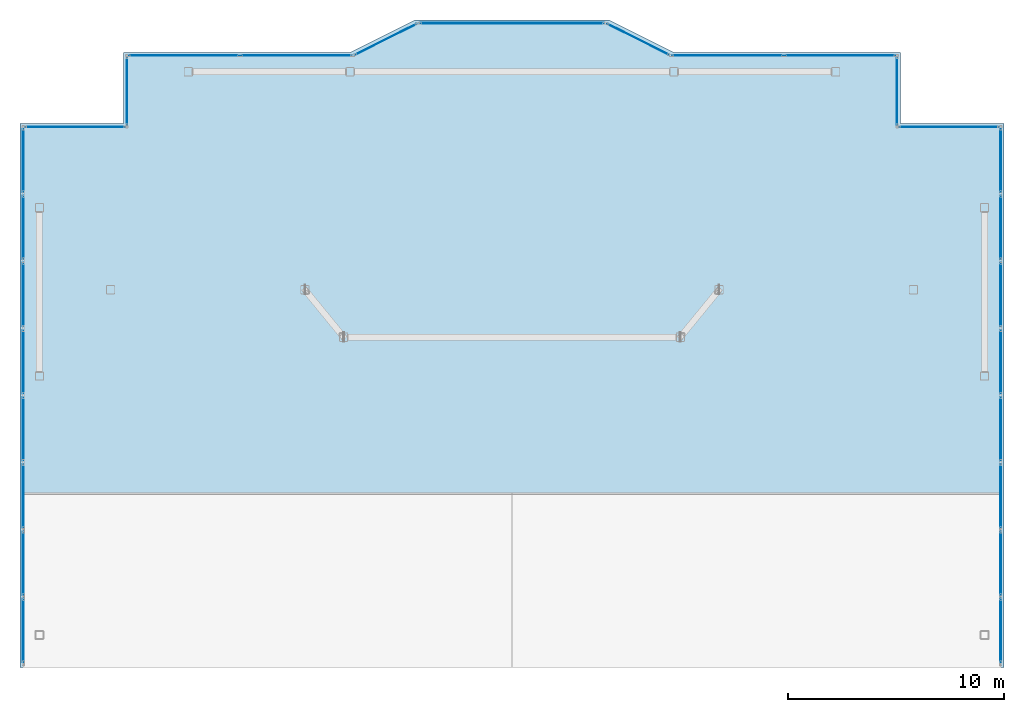
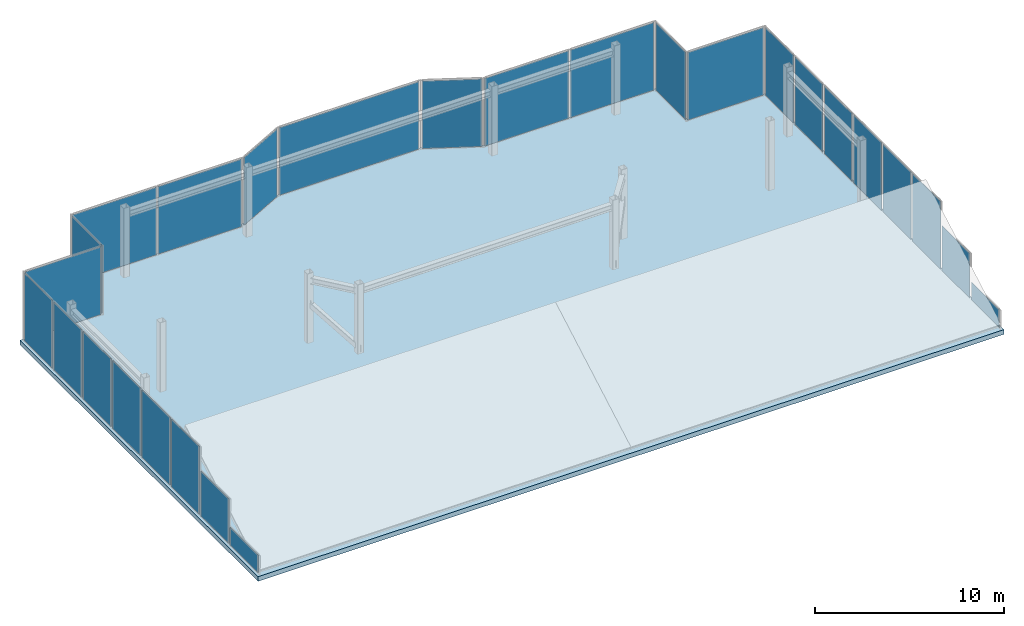
# One storey, part 9 of 12: 27 plates, 1 slab, 25 elements without a shape of their own.
"""IFC4 building model written with IfcOpenShell, lengths in metres."""

from ifc_helpers import new_model, si_unit, direction, frame, origin, origin_2d, place, context, subcontext, project, spatial, polyline, rectangle, outline, extrude, material, layer, layer_set, type_object, element, aggregate, save


model = new_model("IFC4")

# Units and contexts
model_context = context("Model", 3, precision=1e-05, world=origin(), true_north=direction((0.0, 1.0)))
body_context = subcontext(model_context, "Body", "Model", "MODEL_VIEW")
ifc_project = project(units=[si_unit("LENGTHUNIT", "METRE"), si_unit("AREAUNIT", "SQUARE_METRE"), si_unit("VOLUMEUNIT", "CUBIC_METRE"), si_unit("PLANEANGLEUNIT", "RADIAN"), si_unit("MASSUNIT", "GRAM", prefix="KILO")], contexts=[model_context])

# Site, building, storey
site_placement = place(None, origin())
site = spatial("IfcSite", under=ifc_project, at=site_placement, CompositionType="ELEMENT")
building_placement = place(site_placement, origin())
building = spatial("IfcBuilding", under=site, at=building_placement, Name="Tarnavaz Court Tower", CompositionType="ELEMENT")
storey_placement = place(building_placement, frame((0.0, 0.0, 299.550048828125)))
storey = spatial("IfcBuildingStorey", under=building, at=storey_placement, Name="C05", CompositionType="ELEMENT", Elevation=299.550048828125)

# Curtain wall, plate
ifc_material_1 = material(Name="Anodised Aluminium 6063-T6 and Solar Low-E Glazing", Category="aluminium")
ifc_layer_1 = layer(ifc_material_1, 0.2099609375)
ifc_layer_set_1 = layer_set([ifc_layer_1], Name="Anodised Aluminium 6063-T6 and Solar Low-E Glazing")
curtain_wall_type = type_object("IfcCurtainWallType", Name="CW-SYS-06", PredefinedType="NOTDEFINED", material=ifc_layer_set_1)
curtain_wall_1_placement = place(storey_placement, origin())
curtain_wall_1 = element("IfcCurtainWall", 1, at=curtain_wall_1_placement, inside=storey, type_object=curtain_wall_type, Name="C05 Slanted Crown Terracotta Curtain Wall 1", PredefinedType="NOTDEFINED")
ifc_material_2 = material(Name="Double-Glazed Solar Low-E Glass", Category="glass")
ifc_layer_2 = layer(ifc_material_2, 0.028076171875)
ifc_layer_set_2 = layer_set([ifc_layer_2], Name="Double-Glazed Solar Low-E Glass")
plate_type = type_object("IfcPlateType", Name="CW-PAN-GLZ28", PredefinedType="CURTAIN_PANEL", material=ifc_layer_set_2)
plate_1_placement = place(storey_placement, frame((-20.25, 17.550048828125, 0.06494140625), z_axis=(0.0, 0.0, 1.0), x_axis=(1.0, 0.0, 0.0)))
plate_1 = element("IfcPlate", 2, at=plate_1_placement, type_object=plate_type, Name="CW panel 1.1", PredefinedType="CURTAIN_PANEL", context=body_context, shape_type="SweptSolid", body=[
    extrude(rectangle(XDim=4.6298828125, YDim=0.028076171875, at=origin_2d()), origin(), (0.0, 0.0, 1.0), 4.3701171875),
])
aggregate(curtain_wall_1, [plate_1])

curtain_wall_2_placement = place(storey_placement, origin())
curtain_wall_2 = element("IfcCurtainWall", 3, at=curtain_wall_2_placement, inside=storey, type_object=curtain_wall_type, Name="C05 Slanted Crown Terracotta Curtain Wall 2", PredefinedType="NOTDEFINED")
plate_2_placement = place(storey_placement, frame((-17.85009765625, 19.199951171875, 0.06494140625), z_axis=(0.0, 0.0, 1.0), x_axis=(0.0, 1.0, 0.0)))
plate_2 = element("IfcPlate", 4, at=plate_2_placement, type_object=plate_type, Name="CW panel 1.1", PredefinedType="CURTAIN_PANEL", context=body_context, shape_type="SweptSolid", body=[
    extrude(rectangle(XDim=3.1298828125, YDim=0.028076171875, at=origin_2d()), origin(), (0.0, 0.0, 1.0), 4.3701171875),
])
aggregate(curtain_wall_2, [plate_2])

# Curtain wall, plates
curtain_wall_3_placement = place(storey_placement, origin())
curtain_wall_3 = element("IfcCurtainWall", 5, at=curtain_wall_3_placement, inside=storey, type_object=curtain_wall_type, Name="C05 Slanted Crown Terracotta Curtain Wall 3", PredefinedType="NOTDEFINED")
plate_3_placement = place(storey_placement, frame((-15.203857421875, 20.85009765625, 0.06494140625), z_axis=(0.0, 0.0, 1.0), x_axis=(1.0, 0.0, 0.0)))
plate_3 = element("IfcPlate", 6, at=plate_3_placement, type_object=plate_type, Name="CW panel 1.1", PredefinedType="CURTAIN_PANEL", context=body_context, shape_type="SweptSolid", body=[
    extrude(rectangle(XDim=5.12255859375, YDim=0.028076171875, at=origin_2d()), origin(), (0.0, 0.0, 1.0), 4.3701171875),
])
plate_4_placement = place(storey_placement, frame((-9.996337890625, 20.85009765625, 0.06494140625), z_axis=(0.0, 0.0, 1.0), x_axis=(1.0, 0.0, 0.0)))
plate_4 = element("IfcPlate", 7, at=plate_4_placement, type_object=plate_type, Name="CW panel 2.1", PredefinedType="CURTAIN_PANEL", context=body_context, shape_type="SweptSolid", body=[
    extrude(rectangle(XDim=5.12255859375, YDim=0.028076171875, at=origin_2d()), origin(), (0.0, 0.0, 1.0), 4.3701171875),
])
aggregate(curtain_wall_3, [plate_3, plate_4])

# Curtain wall, plate
curtain_wall_4_placement = place(storey_placement, origin())
curtain_wall_4 = element("IfcCurtainWall", 8, at=curtain_wall_4_placement, inside=storey, type_object=curtain_wall_type, Name="C05 Slanted Crown Terracotta Curtain Wall 4", PredefinedType="NOTDEFINED")
plate_5_placement = place(storey_placement, frame((-5.85009765625, 21.60009765625, 0.06494140625), z_axis=(0.0, 0.0, 1.0), x_axis=(0.894427191001, 0.447213595499, 0.0)))
plate_5 = element("IfcPlate", 9, at=plate_5_placement, type_object=plate_type, Name="CW panel 1.1", PredefinedType="CURTAIN_PANEL", context=body_context, shape_type="SweptSolid", body=[
    extrude(rectangle(XDim=3.18408203125, YDim=0.028076171875, at=origin_2d()), origin(), (0.0, 0.0, 1.0), 4.3701171875),
])
aggregate(curtain_wall_4, [plate_5])

curtain_wall_5_placement = place(storey_placement, origin())
curtain_wall_5 = element("IfcCurtainWall", 10, at=curtain_wall_5_placement, inside=storey, type_object=curtain_wall_type, Name="C05 Slanted Crown Terracotta Curtain Wall 5", PredefinedType="NOTDEFINED")
plate_6_placement = place(storey_placement, frame((0.0, 22.35009765625, 0.06494140625), z_axis=(0.0, 0.0, 1.0), x_axis=(1.0, 0.0, 0.0)))
plate_6 = element("IfcPlate", 11, at=plate_6_placement, type_object=plate_type, Name="CW panel 1.1", PredefinedType="CURTAIN_PANEL", context=body_context, shape_type="SweptSolid", body=[
    extrude(rectangle(XDim=8.530029296875, YDim=0.028076171875, at=origin_2d()), origin(), (0.0, 0.0, 1.0), 4.3701171875),
])
aggregate(curtain_wall_5, [plate_6])

curtain_wall_6_placement = place(storey_placement, origin())
curtain_wall_6 = element("IfcCurtainWall", 12, at=curtain_wall_6_placement, inside=storey, type_object=curtain_wall_type, Name="C05 Slanted Crown Terracotta Curtain Wall 6", PredefinedType="NOTDEFINED")
plate_7_placement = place(storey_placement, frame((5.85009765625, 21.60009765625, 0.06494140625), z_axis=(0.0, 0.0, 1.0), x_axis=(0.894427191001, -0.447213595499, 0.0)))
plate_7 = element("IfcPlate", 13, at=plate_7_placement, type_object=plate_type, Name="CW panel 1.1", PredefinedType="CURTAIN_PANEL", context=body_context, shape_type="SweptSolid", body=[
    extrude(rectangle(XDim=3.18408203125, YDim=0.028076171875, at=origin_2d()), origin(), (0.0, 0.0, 1.0), 4.3701171875),
])
aggregate(curtain_wall_6, [plate_7])

# Curtain wall, plates
curtain_wall_7_placement = place(storey_placement, origin())
curtain_wall_7 = element("IfcCurtainWall", 14, at=curtain_wall_7_placement, inside=storey, type_object=curtain_wall_type, Name="C05 Slanted Crown Terracotta Curtain Wall 7", PredefinedType="NOTDEFINED")
plate_8_placement = place(storey_placement, frame((9.996337890625, 20.85009765625, 0.06494140625), z_axis=(0.0, 0.0, 1.0), x_axis=(1.0, 0.0, 0.0)))
plate_8 = element("IfcPlate", 15, at=plate_8_placement, type_object=plate_type, Name="CW panel 1.1", PredefinedType="CURTAIN_PANEL", context=body_context, shape_type="SweptSolid", body=[
    extrude(rectangle(XDim=5.12255859375, YDim=0.028076171875, at=origin_2d()), origin(), (0.0, 0.0, 1.0), 4.3701171875),
])
plate_9_placement = place(storey_placement, frame((15.203857421875, 20.85009765625, 0.06494140625), z_axis=(0.0, 0.0, 1.0), x_axis=(1.0, 0.0, 0.0)))
plate_9 = element("IfcPlate", 16, at=plate_9_placement, type_object=plate_type, Name="CW panel 2.1", PredefinedType="CURTAIN_PANEL", context=body_context, shape_type="SweptSolid", body=[
    extrude(rectangle(XDim=5.12255859375, YDim=0.028076171875, at=origin_2d()), origin(), (0.0, 0.0, 1.0), 4.3701171875),
])
aggregate(curtain_wall_7, [plate_8, plate_9])

# Curtain wall, plate
curtain_wall_8_placement = place(storey_placement, origin())
curtain_wall_8 = element("IfcCurtainWall", 17, at=curtain_wall_8_placement, inside=storey, type_object=curtain_wall_type, Name="C05 Slanted Crown Terracotta Curtain Wall 8", PredefinedType="NOTDEFINED")
plate_10_placement = place(storey_placement, frame((17.85009765625, 19.199951171875, 0.06494140625), z_axis=(0.0, 0.0, 1.0), x_axis=(0.0, -1.0, 0.0)))
plate_10 = element("IfcPlate", 18, at=plate_10_placement, type_object=plate_type, Name="CW panel 1.1", PredefinedType="CURTAIN_PANEL", context=body_context, shape_type="SweptSolid", body=[
    extrude(rectangle(XDim=3.1298828125, YDim=0.028076171875, at=origin_2d()), origin(), (0.0, 0.0, 1.0), 4.3701171875),
])
aggregate(curtain_wall_8, [plate_10])

curtain_wall_9_placement = place(storey_placement, origin())
curtain_wall_9 = element("IfcCurtainWall", 19, at=curtain_wall_9_placement, inside=storey, type_object=curtain_wall_type, Name="C05 Slanted Crown Terracotta Curtain Wall 9", PredefinedType="NOTDEFINED")
plate_11_placement = place(storey_placement, frame((20.25, 17.550048828125, 0.06494140625), z_axis=(0.0, 0.0, 1.0), x_axis=(1.0, 0.0, 0.0)))
plate_11 = element("IfcPlate", 20, at=plate_11_placement, type_object=plate_type, Name="CW panel 1.1", PredefinedType="CURTAIN_PANEL", context=body_context, shape_type="SweptSolid", body=[
    extrude(rectangle(XDim=4.6298828125, YDim=0.028076171875, at=origin_2d()), origin(), (0.0, 0.0, 1.0), 4.3701171875),
])
aggregate(curtain_wall_9, [plate_11])

curtain_wall_10_placement = place(storey_placement, origin())
curtain_wall_10 = element("IfcCurtainWall", 21, at=curtain_wall_10_placement, inside=storey, type_object=curtain_wall_type, Name="C05 Slanted Crown Terracotta Curtain Wall 10", PredefinedType="NOTDEFINED")
plate_12_placement = place(storey_placement, frame((22.64990234375, 15.99365234375, 0.06494140625), z_axis=(0.0, 0.0, 1.0), x_axis=(0.0, -1.0, 0.0)))
plate_12 = element("IfcPlate", 22, at=plate_12_placement, type_object=plate_type, Name="CW panel 1.1", PredefinedType="CURTAIN_PANEL", context=body_context, shape_type="SweptSolid", body=[
    extrude(rectangle(XDim=2.9423828125, YDim=0.028076171875, at=origin_2d()), origin(), (0.0, 0.0, 1.0), 4.3701171875),
])
aggregate(curtain_wall_10, [plate_12])

curtain_wall_11_placement = place(storey_placement, origin())
curtain_wall_11 = element("IfcCurtainWall", 23, at=curtain_wall_11_placement, inside=storey, type_object=curtain_wall_type, Name="C05 Slanted Crown Terracotta Curtain Wall 11", PredefinedType="NOTDEFINED")
plate_13_placement = place(storey_placement, frame((22.64990234375, 12.88134765625, 0.06494140625), z_axis=(0.0, 0.0, 1.0), x_axis=(0.0, -1.0, 0.0)))
plate_13 = element("IfcPlate", 24, at=plate_13_placement, type_object=plate_type, Name="CW panel 1.1", PredefinedType="CURTAIN_PANEL", context=body_context, shape_type="SweptSolid", body=[
    extrude(rectangle(XDim=2.9423828125, YDim=0.028076171875, at=origin_2d()), origin(), (0.0, 0.0, 1.0), 4.3701171875),
])
aggregate(curtain_wall_11, [plate_13])

curtain_wall_12_placement = place(storey_placement, origin())
curtain_wall_12 = element("IfcCurtainWall", 25, at=curtain_wall_12_placement, inside=storey, type_object=curtain_wall_type, Name="C05 Slanted Crown Terracotta Curtain Wall 12", PredefinedType="NOTDEFINED")
plate_14_placement = place(storey_placement, frame((22.64990234375, 9.768798828125, 0.06494140625), z_axis=(0.0, 0.0, 1.0), x_axis=(0.0, -1.0, 0.0)))
plate_14 = element("IfcPlate", 26, at=plate_14_placement, type_object=plate_type, Name="CW panel 1.1", PredefinedType="CURTAIN_PANEL", context=body_context, shape_type="SweptSolid", body=[
    extrude(rectangle(XDim=2.9423828125, YDim=0.028076171875, at=origin_2d()), origin(), (0.0, 0.0, 1.0), 4.3701171875),
])
aggregate(curtain_wall_12, [plate_14])

curtain_wall_13_placement = place(storey_placement, origin())
curtain_wall_13 = element("IfcCurtainWall", 27, at=curtain_wall_13_placement, inside=storey, type_object=curtain_wall_type, Name="C05 Slanted Crown Terracotta Curtain Wall 13", PredefinedType="NOTDEFINED")
plate_15_placement = place(storey_placement, frame((22.64990234375, 6.65625, 0.06494140625), z_axis=(0.0, 0.0, 1.0), x_axis=(0.0, -1.0, 0.0)))
plate_15 = element("IfcPlate", 28, at=plate_15_placement, type_object=plate_type, Name="CW panel 1.1", PredefinedType="CURTAIN_PANEL", context=body_context, shape_type="SweptSolid", body=[
    extrude(rectangle(XDim=2.9423828125, YDim=0.028076171875, at=origin_2d()), origin(), (0.0, 0.0, 1.0), 4.3701171875),
])
aggregate(curtain_wall_13, [plate_15])

curtain_wall_14_placement = place(storey_placement, origin())
curtain_wall_14 = element("IfcCurtainWall", 29, at=curtain_wall_14_placement, inside=storey, type_object=curtain_wall_type, Name="C05 Slanted Crown Terracotta Curtain Wall 14", PredefinedType="NOTDEFINED")
plate_16_placement = place(storey_placement, frame((22.64990234375, 3.543701171875, 0.06494140625), z_axis=(0.0, 0.0, 1.0), x_axis=(0.0, -1.0, 0.0)))
plate_16 = element("IfcPlate", 30, at=plate_16_placement, type_object=plate_type, Name="CW panel 1.1", PredefinedType="CURTAIN_PANEL", context=body_context, shape_type="SweptSolid", body=[
    extrude(rectangle(XDim=2.9423828125, YDim=0.028076171875, at=origin_2d()), origin(), (0.0, 0.0, 1.0), 4.3701171875),
])
aggregate(curtain_wall_14, [plate_16])

curtain_wall_15_placement = place(storey_placement, origin())
curtain_wall_15 = element("IfcCurtainWall", 31, at=curtain_wall_15_placement, inside=storey, type_object=curtain_wall_type, Name="C05 Slanted Crown Terracotta Curtain Wall 15", PredefinedType="NOTDEFINED")
plate_17_placement = place(storey_placement, frame((22.64990234375, 0.43115234375, 0.06494140625), z_axis=(0.0, 0.0, 1.0), x_axis=(0.0, -1.0, 0.0)))
plate_17 = element("IfcPlate", 32, at=plate_17_placement, type_object=plate_type, Name="CW panel 1.1", PredefinedType="CURTAIN_PANEL", context=body_context, shape_type="SweptSolid", body=[
    extrude(rectangle(XDim=2.9423828125, YDim=0.028076171875, at=origin_2d()), origin(), (0.0, 0.0, 1.0), 4.3701171875),
])
aggregate(curtain_wall_15, [plate_17])

curtain_wall_16_placement = place(storey_placement, origin())
curtain_wall_16 = element("IfcCurtainWall", 33, at=curtain_wall_16_placement, inside=storey, type_object=curtain_wall_type, Name="C05 Slanted Crown Terracotta Curtain Wall 16", PredefinedType="NOTDEFINED")
plate_18_placement = place(storey_placement, frame((22.64990234375, -2.68115234375, 0.06494140625), z_axis=(0.0, 0.0, 1.0), x_axis=(0.0, -1.0, 0.0)))
plate_18 = element("IfcPlate", 34, at=plate_18_placement, type_object=plate_type, Name="CW panel 1.1", PredefinedType="CURTAIN_PANEL", context=body_context, shape_type="SweptSolid", body=[
    extrude(rectangle(XDim=2.9423828125, YDim=0.028076171875, at=origin_2d()), origin(), (0.0, 0.0, 1.0), 2.888671875),
])
aggregate(curtain_wall_16, [plate_18])

curtain_wall_17_placement = place(storey_placement, origin())
curtain_wall_17 = element("IfcCurtainWall", 35, at=curtain_wall_17_placement, inside=storey, type_object=curtain_wall_type, Name="C05 Slanted Crown Terracotta Curtain Wall 17", PredefinedType="NOTDEFINED")
plate_19_placement = place(storey_placement, frame((22.64990234375, -5.793701171875, 0.06494140625), z_axis=(0.0, 0.0, 1.0), x_axis=(0.0, -1.0, 0.0)))
plate_19 = element("IfcPlate", 36, at=plate_19_placement, type_object=plate_type, Name="CW panel 1.1", PredefinedType="CURTAIN_PANEL", context=body_context, shape_type="SweptSolid", body=[
    extrude(rectangle(XDim=2.9423828125, YDim=0.028076171875, at=origin_2d()), origin(), (0.0, 0.0, 1.0), 1.12841796875),
])
aggregate(curtain_wall_17, [plate_19])

curtain_wall_18_placement = place(storey_placement, origin())
curtain_wall_18 = element("IfcCurtainWall", 37, at=curtain_wall_18_placement, inside=storey, type_object=curtain_wall_type, Name="C05 Slanted Crown Terracotta Curtain Wall 18", PredefinedType="NOTDEFINED")
plate_20_placement = place(storey_placement, frame((-22.64990234375, -5.793701171875, 0.06494140625), z_axis=(0.0, 0.0, 1.0), x_axis=(0.0, 1.0, 0.0)))
plate_20 = element("IfcPlate", 38, at=plate_20_placement, type_object=plate_type, Name="CW panel 1.1", PredefinedType="CURTAIN_PANEL", context=body_context, shape_type="SweptSolid", body=[
    extrude(rectangle(XDim=2.9423828125, YDim=0.028076171875, at=origin_2d()), origin(), (0.0, 0.0, 1.0), 1.12841796875),
])
aggregate(curtain_wall_18, [plate_20])

curtain_wall_19_placement = place(storey_placement, origin())
curtain_wall_19 = element("IfcCurtainWall", 39, at=curtain_wall_19_placement, inside=storey, type_object=curtain_wall_type, Name="C05 Slanted Crown Terracotta Curtain Wall 19", PredefinedType="NOTDEFINED")
plate_21_placement = place(storey_placement, frame((-22.64990234375, -2.68115234375, 0.06494140625), z_axis=(0.0, 0.0, 1.0), x_axis=(0.0, 1.0, 0.0)))
plate_21 = element("IfcPlate", 40, at=plate_21_placement, type_object=plate_type, Name="CW panel 1.1", PredefinedType="CURTAIN_PANEL", context=body_context, shape_type="SweptSolid", body=[
    extrude(rectangle(XDim=2.9423828125, YDim=0.028076171875, at=origin_2d()), origin(), (0.0, 0.0, 1.0), 2.888671875),
])
aggregate(curtain_wall_19, [plate_21])

curtain_wall_20_placement = place(storey_placement, origin())
curtain_wall_20 = element("IfcCurtainWall", 41, at=curtain_wall_20_placement, inside=storey, type_object=curtain_wall_type, Name="C05 Slanted Crown Terracotta Curtain Wall 20", PredefinedType="NOTDEFINED")
plate_22_placement = place(storey_placement, frame((-22.64990234375, 0.43115234375, 0.06494140625), z_axis=(0.0, 0.0, 1.0), x_axis=(0.0, 1.0, 0.0)))
plate_22 = element("IfcPlate", 42, at=plate_22_placement, type_object=plate_type, Name="CW panel 1.1", PredefinedType="CURTAIN_PANEL", context=body_context, shape_type="SweptSolid", body=[
    extrude(rectangle(XDim=2.9423828125, YDim=0.028076171875, at=origin_2d()), origin(), (0.0, 0.0, 1.0), 4.3701171875),
])
aggregate(curtain_wall_20, [plate_22])

curtain_wall_21_placement = place(storey_placement, origin())
curtain_wall_21 = element("IfcCurtainWall", 43, at=curtain_wall_21_placement, inside=storey, type_object=curtain_wall_type, Name="C05 Slanted Crown Terracotta Curtain Wall 21", PredefinedType="NOTDEFINED")
plate_23_placement = place(storey_placement, frame((-22.64990234375, 3.543701171875, 0.06494140625), z_axis=(0.0, 0.0, 1.0), x_axis=(0.0, 1.0, 0.0)))
plate_23 = element("IfcPlate", 44, at=plate_23_placement, type_object=plate_type, Name="CW panel 1.1", PredefinedType="CURTAIN_PANEL", context=body_context, shape_type="SweptSolid", body=[
    extrude(rectangle(XDim=2.9423828125, YDim=0.028076171875, at=origin_2d()), origin(), (0.0, 0.0, 1.0), 4.3701171875),
])
aggregate(curtain_wall_21, [plate_23])

curtain_wall_22_placement = place(storey_placement, origin())
curtain_wall_22 = element("IfcCurtainWall", 45, at=curtain_wall_22_placement, inside=storey, type_object=curtain_wall_type, Name="C05 Slanted Crown Terracotta Curtain Wall 22", PredefinedType="NOTDEFINED")
plate_24_placement = place(storey_placement, frame((-22.64990234375, 6.65625, 0.06494140625), z_axis=(0.0, 0.0, 1.0), x_axis=(0.0, 1.0, 0.0)))
plate_24 = element("IfcPlate", 46, at=plate_24_placement, type_object=plate_type, Name="CW panel 1.1", PredefinedType="CURTAIN_PANEL", context=body_context, shape_type="SweptSolid", body=[
    extrude(rectangle(XDim=2.9423828125, YDim=0.028076171875, at=origin_2d()), origin(), (0.0, 0.0, 1.0), 4.3701171875),
])
aggregate(curtain_wall_22, [plate_24])

curtain_wall_23_placement = place(storey_placement, origin())
curtain_wall_23 = element("IfcCurtainWall", 47, at=curtain_wall_23_placement, inside=storey, type_object=curtain_wall_type, Name="C05 Slanted Crown Terracotta Curtain Wall 23", PredefinedType="NOTDEFINED")
plate_25_placement = place(storey_placement, frame((-22.64990234375, 9.768798828125, 0.06494140625), z_axis=(0.0, 0.0, 1.0), x_axis=(0.0, 1.0, 0.0)))
plate_25 = element("IfcPlate", 48, at=plate_25_placement, type_object=plate_type, Name="CW panel 1.1", PredefinedType="CURTAIN_PANEL", context=body_context, shape_type="SweptSolid", body=[
    extrude(rectangle(XDim=2.9423828125, YDim=0.028076171875, at=origin_2d()), origin(), (0.0, 0.0, 1.0), 4.3701171875),
])
aggregate(curtain_wall_23, [plate_25])

curtain_wall_24_placement = place(storey_placement, origin())
curtain_wall_24 = element("IfcCurtainWall", 49, at=curtain_wall_24_placement, inside=storey, type_object=curtain_wall_type, Name="C05 Slanted Crown Terracotta Curtain Wall 24", PredefinedType="NOTDEFINED")
plate_26_placement = place(storey_placement, frame((-22.64990234375, 12.88134765625, 0.06494140625), z_axis=(0.0, 0.0, 1.0), x_axis=(0.0, 1.0, 0.0)))
plate_26 = element("IfcPlate", 50, at=plate_26_placement, type_object=plate_type, Name="CW panel 1.1", PredefinedType="CURTAIN_PANEL", context=body_context, shape_type="SweptSolid", body=[
    extrude(rectangle(XDim=2.9423828125, YDim=0.028076171875, at=origin_2d()), origin(), (0.0, 0.0, 1.0), 4.3701171875),
])
aggregate(curtain_wall_24, [plate_26])

curtain_wall_25_placement = place(storey_placement, origin())
curtain_wall_25 = element("IfcCurtainWall", 51, at=curtain_wall_25_placement, inside=storey, type_object=curtain_wall_type, Name="C05 Slanted Crown Terracotta Curtain Wall 25", PredefinedType="NOTDEFINED")
plate_27_placement = place(storey_placement, frame((-22.64990234375, 15.99365234375, 0.06494140625), z_axis=(0.0, 0.0, 1.0), x_axis=(0.0, 1.0, 0.0)))
plate_27 = element("IfcPlate", 52, at=plate_27_placement, type_object=plate_type, Name="CW panel 1.1", PredefinedType="CURTAIN_PANEL", context=body_context, shape_type="SweptSolid", body=[
    extrude(rectangle(XDim=2.9423828125, YDim=0.028076171875, at=origin_2d()), origin(), (0.0, 0.0, 1.0), 4.3701171875),
])
aggregate(curtain_wall_25, [plate_27])

# Slab
ifc_material_3 = material(Name="Concrete C40/50", Category="concrete")
ifc_layer_3 = layer(ifc_material_3, 0.300048828125)
ifc_layer_set_3 = layer_set([ifc_layer_3], Name="Concrete C40/50")
slab_type = type_object("IfcSlabType", Name="SL-ROOF-300", PredefinedType="ROOF", material=ifc_layer_set_3)
slab_placement = place(storey_placement, frame((0.0, 0.0, -0.300048828125)))
element("IfcSlab", 53, at=slab_placement, inside=storey, type_object=slab_type, Name="C05 Structural Floor Slab", PredefinedType="ROOF", context=body_context, shape_type="SweptSolid", body=[
    extrude(outline(polyline([(-22.800048828125, 17.699951171875), (-18.0, 17.699951171875), (-18.0, 21.0), (-7.5, 21.0), (-4.5, 22.5), (4.5, 22.5), (7.5, 21.0), (18.0, 21.0), (18.0, 17.699951171875), (22.800048828125, 17.699951171875), (22.800048828125, -7.5), (-22.800048828125, -7.5), (-22.800048828125, 17.699951171875)])), origin(), (0.0, 0.0, 1.0), 0.300048828125),
])

save(model, "model.ifc")
